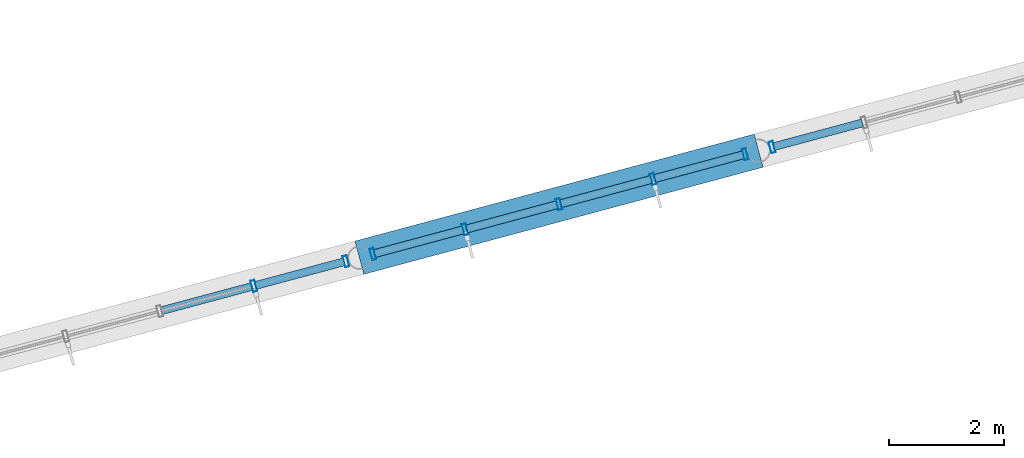
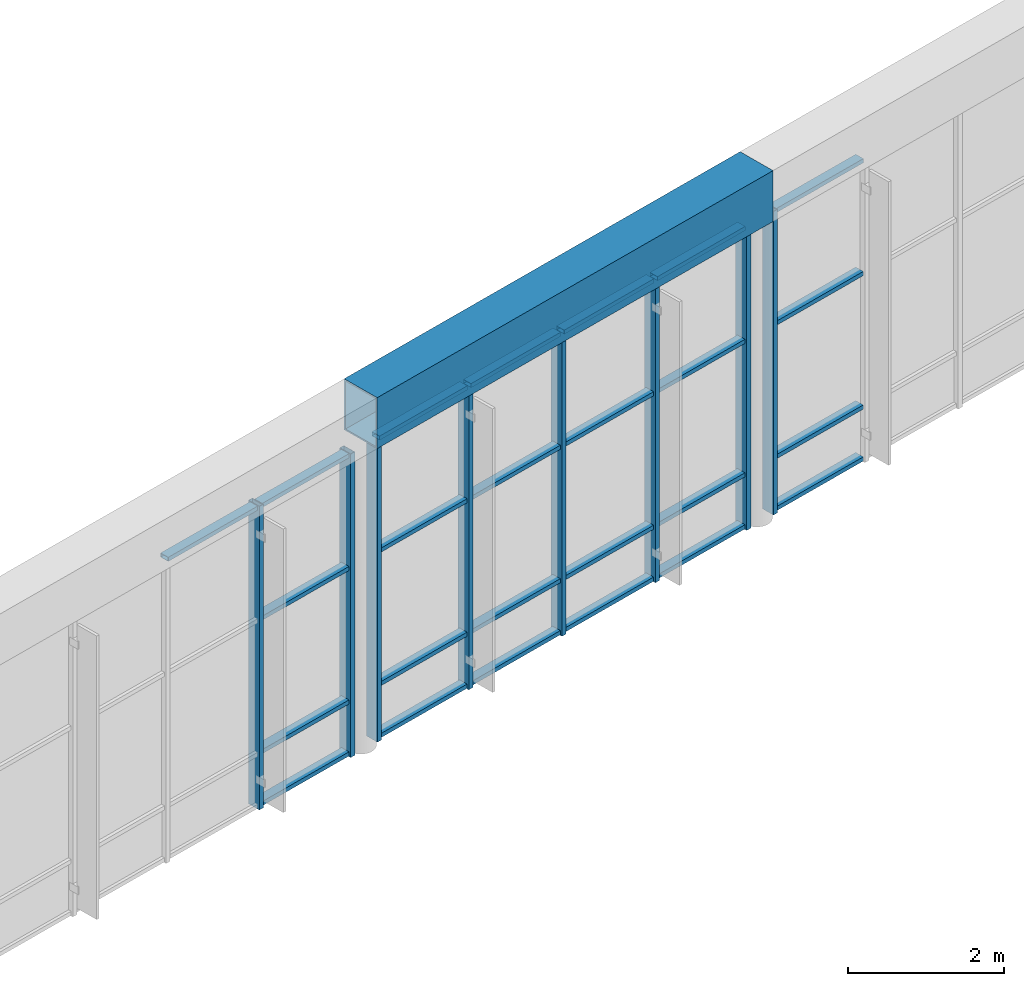
# One storey, part 12 of 55: 33 members, 1 beam, 3 elements without a shape of their own.
"""IFC4 building model written with IfcOpenShell, lengths in metres."""

from ifc_helpers import new_model, si_unit, direction, frame, origin, origin_2d, place, context, subcontext, project, spatial, hollow_rectangle, extrude, material, layer, layer_set, material_profile, profile_set, type_object, element, aggregate, save


model = new_model("IFC4")

# Units and contexts
model_context = context("Model", 3, precision=1e-05, world=origin(), true_north=direction((0.0, 1.0)))
body_context = subcontext(model_context, "Body", "Model", "MODEL_VIEW")
ifc_project = project(units=[si_unit("LENGTHUNIT", "METRE"), si_unit("AREAUNIT", "SQUARE_METRE"), si_unit("VOLUMEUNIT", "CUBIC_METRE"), si_unit("PLANEANGLEUNIT", "RADIAN"), si_unit("MASSUNIT", "GRAM", prefix="KILO")], contexts=[model_context])

# Site, building, storey
site_placement = place(None, origin())
site = spatial("IfcSite", under=ifc_project, at=site_placement, CompositionType="ELEMENT")
building_placement = place(site_placement, origin())
building = spatial("IfcBuilding", under=site, at=building_placement, Name="Ventoquebrada Cableway Terminal", CompositionType="ELEMENT")
storey_placement = place(building_placement, frame((0.0, 0.0, 14.39990234375)))
storey = spatial("IfcBuildingStorey", under=building, at=storey_placement, Name="L03", CompositionType="ELEMENT", Elevation=14.39990234375)

# Curtain wall, members
ifc_material_1 = material(Name="Anodized thermally-broken aluminium", Category="aluminium")
ifc_layer = layer(ifc_material_1, 0.159912109375)
ifc_layer_set = layer_set([ifc_layer], Name="Anodized thermally-broken aluminium")
curtain_wall_type = type_object("IfcCurtainWallType", Name="CW-T42", PredefinedType="USERDEFINED", material=ifc_layer_set)
curtain_wall_1_placement = place(storey_placement, origin())
curtain_wall_1 = element("IfcCurtainWall", 1, at=curtain_wall_1_placement, inside=storey, type_object=curtain_wall_type, Name="Unitised glazed curtain wall CW-116", ObjectType="UNITISED CURTAIN WALL", PredefinedType="USERDEFINED")
ifc_material_profile_1 = material_profile(ifc_material_1, hollow_rectangle(XDim=0.074951171875, YDim=0.199951171875, WallThickness=0.00439453125, at=origin_2d()), Name="CW-MUL-75X200")
ifc_profile_set_1 = profile_set([ifc_material_profile_1], Name="Anodized thermally-broken aluminium")
member_type_1 = type_object("IfcMemberType", Name="CWM-02", PredefinedType="MULLION", material=ifc_profile_set_1)
member_1_placement = place(storey_placement, frame((64.048095703125, 73.01806640625, -0.0078125), z_axis=(0.0, 0.0, 1.0), x_axis=(0.965948408834, 0.258734751187, 0.0)))
member_1 = element("IfcMember", 2, at=member_1_placement, type_object=member_type_1, Name="Curtain wall mullion FML-0564", PredefinedType="MULLION", context=body_context, shape_type="SweptSolid", body=[
    extrude(hollow_rectangle(XDim=0.074951171875, YDim=0.199951171875, WallThickness=0.00439453125, at=origin_2d()), origin(), (0.0, 0.0, 1.0), 4.762939453125),
])
member_2_placement = place(storey_placement, frame((65.652099609375, 73.447998046875, -0.0078125), z_axis=(0.0, 0.0, 1.0), x_axis=(0.965948408834, 0.258734751187, 0.0)))
member_2 = element("IfcMember", 3, at=member_2_placement, type_object=member_type_1, Name="Curtain wall mullion FML-0565", PredefinedType="MULLION", context=body_context, shape_type="SweptSolid", body=[
    extrude(hollow_rectangle(XDim=0.074951171875, YDim=0.199951171875, WallThickness=0.00439453125, at=origin_2d()), origin(), (0.0, 0.0, 1.0), 4.762939453125),
])

curtain_wall_2_placement = place(storey_placement, origin())
curtain_wall_2 = element("IfcCurtainWall", 4, at=curtain_wall_2_placement, inside=storey, type_object=curtain_wall_type, Name="Unitised glazed curtain wall CW-117", ObjectType="UNITISED CURTAIN WALL", PredefinedType="USERDEFINED")
member_3_placement = place(storey_placement, frame((66.1220703125, 73.573974609375, -0.0078125), z_axis=(0.0, 0.0, 1.0), x_axis=(0.965921308897, 0.258835903649, 0.0)))
member_3 = element("IfcMember", 5, at=member_3_placement, type_object=member_type_1, Name="Curtain wall mullion FML-0566", PredefinedType="MULLION", context=body_context, shape_type="SweptSolid", body=[
    extrude(hollow_rectangle(XDim=0.074951171875, YDim=0.199951171875, WallThickness=0.00439453125, at=origin_2d()), origin(), (0.0, 0.0, 1.0), 4.762939453125),
])
member_4_placement = place(storey_placement, frame((67.72607421875, 74.00390625, -0.0078125), z_axis=(0.0, 0.0, 1.0), x_axis=(0.965921308897, 0.258835903649, 0.0)))
member_4 = element("IfcMember", 6, at=member_4_placement, type_object=member_type_1, Name="Curtain wall mullion FML-0567", PredefinedType="MULLION", context=body_context, shape_type="SweptSolid", body=[
    extrude(hollow_rectangle(XDim=0.074951171875, YDim=0.199951171875, WallThickness=0.00439453125, at=origin_2d()), origin(), (0.0, 0.0, 1.0), 4.762939453125),
])
member_5_placement = place(storey_placement, frame((69.364013671875, 74.443115234375, -0.0078125), z_axis=(0.0, 0.0, 1.0), x_axis=(0.965921308897, 0.258835903649, 0.0)))
member_5 = element("IfcMember", 7, at=member_5_placement, type_object=member_type_1, Name="Curtain wall mullion FML-0568", PredefinedType="MULLION", context=body_context, shape_type="SweptSolid", body=[
    extrude(hollow_rectangle(XDim=0.074951171875, YDim=0.199951171875, WallThickness=0.00439453125, at=origin_2d()), origin(), (0.0, 0.0, 1.0), 4.762939453125),
])
member_6_placement = place(storey_placement, frame((71.0029296875, 74.882080078125, -0.0078125), z_axis=(0.0, 0.0, 1.0), x_axis=(0.965921308897, 0.258835903649, 0.0)))
member_6 = element("IfcMember", 8, at=member_6_placement, type_object=member_type_1, Name="Curtain wall mullion FML-0569", PredefinedType="MULLION", context=body_context, shape_type="SweptSolid", body=[
    extrude(hollow_rectangle(XDim=0.074951171875, YDim=0.199951171875, WallThickness=0.00439453125, at=origin_2d()), origin(), (0.0, 0.0, 1.0), 4.762939453125),
])
member_7_placement = place(storey_placement, frame((72.60693359375, 75.31201171875, -0.0078125), z_axis=(0.0, 0.0, 1.0), x_axis=(0.965921308897, 0.258835903649, 0.0)))
member_7 = element("IfcMember", 9, at=member_7_placement, type_object=member_type_1, Name="Curtain wall mullion FML-0570", PredefinedType="MULLION", context=body_context, shape_type="SweptSolid", body=[
    extrude(hollow_rectangle(XDim=0.074951171875, YDim=0.199951171875, WallThickness=0.00439453125, at=origin_2d()), origin(), (0.0, 0.0, 1.0), 4.762939453125),
])

# Curtain wall, member
curtain_wall_3_placement = place(storey_placement, origin())
curtain_wall_3 = element("IfcCurtainWall", 10, at=curtain_wall_3_placement, inside=storey, type_object=curtain_wall_type, Name="Unitised glazed curtain wall CW-118", ObjectType="UNITISED CURTAIN WALL", PredefinedType="USERDEFINED")
member_8_placement = place(storey_placement, frame((73.076904296875, 75.43798828125, -0.0078125), z_axis=(0.0, 0.0, 1.0), x_axis=(0.965957439792, 0.258701033069, 0.0)))
member_8 = element("IfcMember", 11, at=member_8_placement, type_object=member_type_1, Name="Curtain wall mullion FML-0571", PredefinedType="MULLION", context=body_context, shape_type="SweptSolid", body=[
    extrude(hollow_rectangle(XDim=0.074951171875, YDim=0.199951171875, WallThickness=0.00439453125, at=origin_2d()), origin(), (0.0, 0.0, 1.0), 4.762939453125),
])

# Member
ifc_material_profile_2 = material_profile(ifc_material_1, hollow_rectangle(XDim=0.06494140625, YDim=0.139892578125, WallThickness=0.00390625, at=origin_2d()), Name="CW-TRN-65X140")
ifc_profile_set_2 = profile_set([ifc_material_profile_2], Name="Anodized thermally-broken aluminium")
member_type_2 = type_object("IfcMemberType", Name="CWT-01", PredefinedType="USERDEFINED", material=ifc_profile_set_2)
member_9_placement = place(storey_placement, frame((62.44091796875, 72.587890625, 4.715087890625), z_axis=(0.965958734776, 0.258696197712, 0.0), x_axis=(0.0, 0.0, 1.0)))
member_9 = element("IfcMember", 12, at=member_9_placement, type_object=member_type_2, Name="Curtain wall transom FTR-1659", ObjectType="TRANSOM", PredefinedType="USERDEFINED", context=body_context, shape_type="SweptSolid", body=[
    extrude(hollow_rectangle(XDim=0.06494140625, YDim=0.139892578125, WallThickness=0.00390625, at=origin_2d()), origin(), (0.0, 0.0, 1.0), 1.6318359375),
])

member_10_placement = place(storey_placement, frame((64.0791015625, 73.027099609375, 0.03515625), z_axis=(0.965978078124, 0.258623959802, 0.0), x_axis=(0.0, 0.0, 1.0)))
member_10 = element("IfcMember", 13, at=member_10_placement, type_object=member_type_2, Name="Curtain wall transom FTR-1660", ObjectType="TRANSOM", PredefinedType="USERDEFINED", context=body_context, shape_type="SweptSolid", body=[
    extrude(hollow_rectangle(XDim=0.06494140625, YDim=0.139892578125, WallThickness=0.00390625, at=origin_2d()), origin(), (0.0, 0.0, 1.0), 1.59619140625),
])

member_11_placement = place(storey_placement, frame((64.0791015625, 73.027099609375, 0.85009765625), z_axis=(0.965978078124, 0.258623959802, 0.0), x_axis=(0.0, 0.0, 1.0)))
member_11 = element("IfcMember", 14, at=member_11_placement, type_object=member_type_2, Name="Curtain wall transom FTR-1661", ObjectType="TRANSOM", PredefinedType="USERDEFINED", context=body_context, shape_type="SweptSolid", body=[
    extrude(hollow_rectangle(XDim=0.06494140625, YDim=0.139892578125, WallThickness=0.00390625, at=origin_2d()), origin(), (0.0, 0.0, 1.0), 1.59619140625),
])

member_12_placement = place(storey_placement, frame((64.0791015625, 73.027099609375, 2.945068359375), z_axis=(0.965978078124, 0.258623959802, 0.0), x_axis=(0.0, 0.0, 1.0)))
member_12 = element("IfcMember", 15, at=member_12_placement, type_object=member_type_2, Name="Curtain wall transom FTR-1662", ObjectType="TRANSOM", PredefinedType="USERDEFINED", context=body_context, shape_type="SweptSolid", body=[
    extrude(hollow_rectangle(XDim=0.06494140625, YDim=0.139892578125, WallThickness=0.00390625, at=origin_2d()), origin(), (0.0, 0.0, 1.0), 1.59619140625),
])

member_13_placement = place(storey_placement, frame((64.0791015625, 73.027099609375, 4.715087890625), z_axis=(0.965978078124, 0.258623959802, 0.0), x_axis=(0.0, 0.0, 1.0)))
member_13 = element("IfcMember", 16, at=member_13_placement, type_object=member_type_2, Name="Curtain wall transom FTR-1663", ObjectType="TRANSOM", PredefinedType="USERDEFINED", context=body_context, shape_type="SweptSolid", body=[
    extrude(hollow_rectangle(XDim=0.06494140625, YDim=0.139892578125, WallThickness=0.00390625, at=origin_2d()), origin(), (0.0, 0.0, 1.0), 1.59619140625),
])

aggregate(curtain_wall_1, [member_1, member_2, member_9, member_10, member_11, member_12, member_13])

member_14_placement = place(storey_placement, frame((66.153076171875, 73.58203125, 0.03515625), z_axis=(0.965786809484, 0.259337306663, 0.0), x_axis=(0.0, 0.0, 1.0)))
member_14 = element("IfcMember", 17, at=member_14_placement, type_object=member_type_2, Name="Curtain wall transom FTR-1664", ObjectType="TRANSOM", PredefinedType="USERDEFINED", context=body_context, shape_type="SweptSolid", body=[
    extrude(hollow_rectangle(XDim=0.06494140625, YDim=0.139892578125, WallThickness=0.00390625, at=origin_2d()), origin(), (0.0, 0.0, 1.0), 1.5966796875),
])

member_15_placement = place(storey_placement, frame((66.153076171875, 73.58203125, 0.85009765625), z_axis=(0.965786809484, 0.259337306663, 0.0), x_axis=(0.0, 0.0, 1.0)))
member_15 = element("IfcMember", 18, at=member_15_placement, type_object=member_type_2, Name="Curtain wall transom FTR-1665", ObjectType="TRANSOM", PredefinedType="USERDEFINED", context=body_context, shape_type="SweptSolid", body=[
    extrude(hollow_rectangle(XDim=0.06494140625, YDim=0.139892578125, WallThickness=0.00390625, at=origin_2d()), origin(), (0.0, 0.0, 1.0), 1.5966796875),
])

member_16_placement = place(storey_placement, frame((66.153076171875, 73.58203125, 2.945068359375), z_axis=(0.965786809484, 0.259337306663, 0.0), x_axis=(0.0, 0.0, 1.0)))
member_16 = element("IfcMember", 19, at=member_16_placement, type_object=member_type_2, Name="Curtain wall transom FTR-1666", ObjectType="TRANSOM", PredefinedType="USERDEFINED", context=body_context, shape_type="SweptSolid", body=[
    extrude(hollow_rectangle(XDim=0.06494140625, YDim=0.139892578125, WallThickness=0.00390625, at=origin_2d()), origin(), (0.0, 0.0, 1.0), 1.5966796875),
])

member_17_placement = place(storey_placement, frame((66.153076171875, 73.58203125, 4.715087890625), z_axis=(0.965786809484, 0.259337306663, 0.0), x_axis=(0.0, 0.0, 1.0)))
member_17 = element("IfcMember", 20, at=member_17_placement, type_object=member_type_2, Name="Curtain wall transom FTR-1667", ObjectType="TRANSOM", PredefinedType="USERDEFINED", context=body_context, shape_type="SweptSolid", body=[
    extrude(hollow_rectangle(XDim=0.06494140625, YDim=0.139892578125, WallThickness=0.00390625, at=origin_2d()), origin(), (0.0, 0.0, 1.0), 1.5966796875),
])

member_18_placement = place(storey_placement, frame((67.758056640625, 74.011962890625, 0.03515625), z_axis=(0.965758711312, 0.259441923222, 0.0), x_axis=(0.0, 0.0, 1.0)))
member_18 = element("IfcMember", 21, at=member_18_placement, type_object=member_type_2, Name="Curtain wall transom FTR-1668", ObjectType="TRANSOM", PredefinedType="USERDEFINED", context=body_context, shape_type="SweptSolid", body=[
    extrude(hollow_rectangle(XDim=0.06494140625, YDim=0.139892578125, WallThickness=0.00390625, at=origin_2d()), origin(), (0.0, 0.0, 1.0), 1.630859375),
])

member_19_placement = place(storey_placement, frame((67.758056640625, 74.011962890625, 0.85009765625), z_axis=(0.965758711312, 0.259441923222, 0.0), x_axis=(0.0, 0.0, 1.0)))
member_19 = element("IfcMember", 22, at=member_19_placement, type_object=member_type_2, Name="Curtain wall transom FTR-1669", ObjectType="TRANSOM", PredefinedType="USERDEFINED", context=body_context, shape_type="SweptSolid", body=[
    extrude(hollow_rectangle(XDim=0.06494140625, YDim=0.139892578125, WallThickness=0.00390625, at=origin_2d()), origin(), (0.0, 0.0, 1.0), 1.630859375),
])

member_20_placement = place(storey_placement, frame((67.758056640625, 74.011962890625, 2.945068359375), z_axis=(0.965758711312, 0.259441923222, 0.0), x_axis=(0.0, 0.0, 1.0)))
member_20 = element("IfcMember", 23, at=member_20_placement, type_object=member_type_2, Name="Curtain wall transom FTR-1670", ObjectType="TRANSOM", PredefinedType="USERDEFINED", context=body_context, shape_type="SweptSolid", body=[
    extrude(hollow_rectangle(XDim=0.06494140625, YDim=0.139892578125, WallThickness=0.00390625, at=origin_2d()), origin(), (0.0, 0.0, 1.0), 1.630859375),
])

member_21_placement = place(storey_placement, frame((67.758056640625, 74.011962890625, 4.715087890625), z_axis=(0.965758711312, 0.259441923222, 0.0), x_axis=(0.0, 0.0, 1.0)))
member_21 = element("IfcMember", 24, at=member_21_placement, type_object=member_type_2, Name="Curtain wall transom FTR-1671", ObjectType="TRANSOM", PredefinedType="USERDEFINED", context=body_context, shape_type="SweptSolid", body=[
    extrude(hollow_rectangle(XDim=0.06494140625, YDim=0.139892578125, WallThickness=0.00390625, at=origin_2d()), origin(), (0.0, 0.0, 1.0), 1.630859375),
])

member_22_placement = place(storey_placement, frame((69.39599609375, 74.450927734375, 0.03515625), z_axis=(0.965758711312, 0.259441923222, 0.0), x_axis=(0.0, 0.0, 1.0)))
member_22 = element("IfcMember", 25, at=member_22_placement, type_object=member_type_2, Name="Curtain wall transom FTR-1672", ObjectType="TRANSOM", PredefinedType="USERDEFINED", context=body_context, shape_type="SweptSolid", body=[
    extrude(hollow_rectangle(XDim=0.06494140625, YDim=0.139892578125, WallThickness=0.00390625, at=origin_2d()), origin(), (0.0, 0.0, 1.0), 1.630859375),
])

member_23_placement = place(storey_placement, frame((69.39599609375, 74.450927734375, 0.85009765625), z_axis=(0.965758711312, 0.259441923222, 0.0), x_axis=(0.0, 0.0, 1.0)))
member_23 = element("IfcMember", 26, at=member_23_placement, type_object=member_type_2, Name="Curtain wall transom FTR-1673", ObjectType="TRANSOM", PredefinedType="USERDEFINED", context=body_context, shape_type="SweptSolid", body=[
    extrude(hollow_rectangle(XDim=0.06494140625, YDim=0.139892578125, WallThickness=0.00390625, at=origin_2d()), origin(), (0.0, 0.0, 1.0), 1.630859375),
])

member_24_placement = place(storey_placement, frame((69.39599609375, 74.450927734375, 2.945068359375), z_axis=(0.965758711312, 0.259441923222, 0.0), x_axis=(0.0, 0.0, 1.0)))
member_24 = element("IfcMember", 27, at=member_24_placement, type_object=member_type_2, Name="Curtain wall transom FTR-1674", ObjectType="TRANSOM", PredefinedType="USERDEFINED", context=body_context, shape_type="SweptSolid", body=[
    extrude(hollow_rectangle(XDim=0.06494140625, YDim=0.139892578125, WallThickness=0.00390625, at=origin_2d()), origin(), (0.0, 0.0, 1.0), 1.630859375),
])

member_25_placement = place(storey_placement, frame((69.39599609375, 74.450927734375, 4.715087890625), z_axis=(0.965758711312, 0.259441923222, 0.0), x_axis=(0.0, 0.0, 1.0)))
member_25 = element("IfcMember", 28, at=member_25_placement, type_object=member_type_2, Name="Curtain wall transom FTR-1675", ObjectType="TRANSOM", PredefinedType="USERDEFINED", context=body_context, shape_type="SweptSolid", body=[
    extrude(hollow_rectangle(XDim=0.06494140625, YDim=0.139892578125, WallThickness=0.00390625, at=origin_2d()), origin(), (0.0, 0.0, 1.0), 1.630859375),
])

member_26_placement = place(storey_placement, frame((71.033935546875, 74.889892578125, 0.03515625), z_axis=(0.965786809484, 0.259337306663, 0.0), x_axis=(0.0, 0.0, 1.0)))
member_26 = element("IfcMember", 29, at=member_26_placement, type_object=member_type_2, Name="Curtain wall transom FTR-1676", ObjectType="TRANSOM", PredefinedType="USERDEFINED", context=body_context, shape_type="SweptSolid", body=[
    extrude(hollow_rectangle(XDim=0.06494140625, YDim=0.139892578125, WallThickness=0.00390625, at=origin_2d()), origin(), (0.0, 0.0, 1.0), 1.5966796875),
])

member_27_placement = place(storey_placement, frame((71.033935546875, 74.889892578125, 0.85009765625), z_axis=(0.965786809484, 0.259337306663, 0.0), x_axis=(0.0, 0.0, 1.0)))
member_27 = element("IfcMember", 30, at=member_27_placement, type_object=member_type_2, Name="Curtain wall transom FTR-1677", ObjectType="TRANSOM", PredefinedType="USERDEFINED", context=body_context, shape_type="SweptSolid", body=[
    extrude(hollow_rectangle(XDim=0.06494140625, YDim=0.139892578125, WallThickness=0.00390625, at=origin_2d()), origin(), (0.0, 0.0, 1.0), 1.5966796875),
])

member_28_placement = place(storey_placement, frame((71.033935546875, 74.889892578125, 2.945068359375), z_axis=(0.965786809484, 0.259337306663, 0.0), x_axis=(0.0, 0.0, 1.0)))
member_28 = element("IfcMember", 31, at=member_28_placement, type_object=member_type_2, Name="Curtain wall transom FTR-1678", ObjectType="TRANSOM", PredefinedType="USERDEFINED", context=body_context, shape_type="SweptSolid", body=[
    extrude(hollow_rectangle(XDim=0.06494140625, YDim=0.139892578125, WallThickness=0.00390625, at=origin_2d()), origin(), (0.0, 0.0, 1.0), 1.5966796875),
])

member_29_placement = place(storey_placement, frame((71.033935546875, 74.889892578125, 4.715087890625), z_axis=(0.965786809484, 0.259337306663, 0.0), x_axis=(0.0, 0.0, 1.0)))
member_29 = element("IfcMember", 32, at=member_29_placement, type_object=member_type_2, Name="Curtain wall transom FTR-1679", ObjectType="TRANSOM", PredefinedType="USERDEFINED", context=body_context, shape_type="SweptSolid", body=[
    extrude(hollow_rectangle(XDim=0.06494140625, YDim=0.139892578125, WallThickness=0.00390625, at=origin_2d()), origin(), (0.0, 0.0, 1.0), 1.5966796875),
])

aggregate(curtain_wall_2, [member_3, member_4, member_5, member_6, member_7, member_14, member_15, member_16, member_17, member_18, member_19, member_20, member_21, member_22, member_23, member_24, member_25, member_26, member_27, member_28, member_29])

member_30_placement = place(storey_placement, frame((73.10791015625, 75.446044921875, 0.03515625), z_axis=(0.965978078124, 0.258623959802, 0.0), x_axis=(0.0, 0.0, 1.0)))
member_30 = element("IfcMember", 33, at=member_30_placement, type_object=member_type_2, Name="Curtain wall transom FTR-1680", ObjectType="TRANSOM", PredefinedType="USERDEFINED", context=body_context, shape_type="SweptSolid", body=[
    extrude(hollow_rectangle(XDim=0.06494140625, YDim=0.139892578125, WallThickness=0.00390625, at=origin_2d()), origin(), (0.0, 0.0, 1.0), 1.59619140625),
])

member_31_placement = place(storey_placement, frame((73.10791015625, 75.446044921875, 0.85009765625), z_axis=(0.965978078124, 0.258623959802, 0.0), x_axis=(0.0, 0.0, 1.0)))
member_31 = element("IfcMember", 34, at=member_31_placement, type_object=member_type_2, Name="Curtain wall transom FTR-1681", ObjectType="TRANSOM", PredefinedType="USERDEFINED", context=body_context, shape_type="SweptSolid", body=[
    extrude(hollow_rectangle(XDim=0.06494140625, YDim=0.139892578125, WallThickness=0.00390625, at=origin_2d()), origin(), (0.0, 0.0, 1.0), 1.59619140625),
])

member_32_placement = place(storey_placement, frame((73.10791015625, 75.446044921875, 2.945068359375), z_axis=(0.965978078124, 0.258623959802, 0.0), x_axis=(0.0, 0.0, 1.0)))
member_32 = element("IfcMember", 35, at=member_32_placement, type_object=member_type_2, Name="Curtain wall transom FTR-1682", ObjectType="TRANSOM", PredefinedType="USERDEFINED", context=body_context, shape_type="SweptSolid", body=[
    extrude(hollow_rectangle(XDim=0.06494140625, YDim=0.139892578125, WallThickness=0.00390625, at=origin_2d()), origin(), (0.0, 0.0, 1.0), 1.59619140625),
])

member_33_placement = place(storey_placement, frame((73.10791015625, 75.446044921875, 4.715087890625), z_axis=(0.965978078124, 0.258623959802, 0.0), x_axis=(0.0, 0.0, 1.0)))
member_33 = element("IfcMember", 36, at=member_33_placement, type_object=member_type_2, Name="Curtain wall transom FTR-1683", ObjectType="TRANSOM", PredefinedType="USERDEFINED", context=body_context, shape_type="SweptSolid", body=[
    extrude(hollow_rectangle(XDim=0.06494140625, YDim=0.139892578125, WallThickness=0.00390625, at=origin_2d()), origin(), (0.0, 0.0, 1.0), 1.59619140625),
])

aggregate(curtain_wall_3, [member_8, member_30, member_31, member_32, member_33])

# Beam
ifc_material_2 = material(Name="Steel ASTM A572 Grade 50", Category="steel")
ifc_material_profile_3 = material_profile(ifc_material_2, hollow_rectangle(XDim=0.60009765625, YDim=0.800048828125, WallThickness=0.02490234375, at=origin_2d()), Name="BOX600X800X25")
ifc_profile_set_3 = profile_set([ifc_material_profile_3], Name="Steel ASTM A572 Grade 50")
beam_type = type_object("IfcBeamType", Name="RNG-ST01", PredefinedType="BEAM", material=ifc_profile_set_3)
beam_placement = place(storey_placement, frame((65.886962890625, 73.510986328125, 5.2001953125), z_axis=(0.96591172503, 0.258871665986, 0.0), x_axis=(-0.258871665986, 0.96591172503, 0.0)))
element("IfcBeam", 37, at=beam_placement, inside=storey, type_object=beam_type, Name="Gridshell compression-tension ring beam FBM-1138", PredefinedType="BEAM", context=body_context, shape_type="SweptSolid", body=[
    extrude(hollow_rectangle(XDim=0.60009765625, YDim=0.800048828125, WallThickness=0.02490234375, at=origin_2d()), origin(), (0.0, 0.0, 1.0), 7.200439453125),
])

save(model, "model.ifc")
